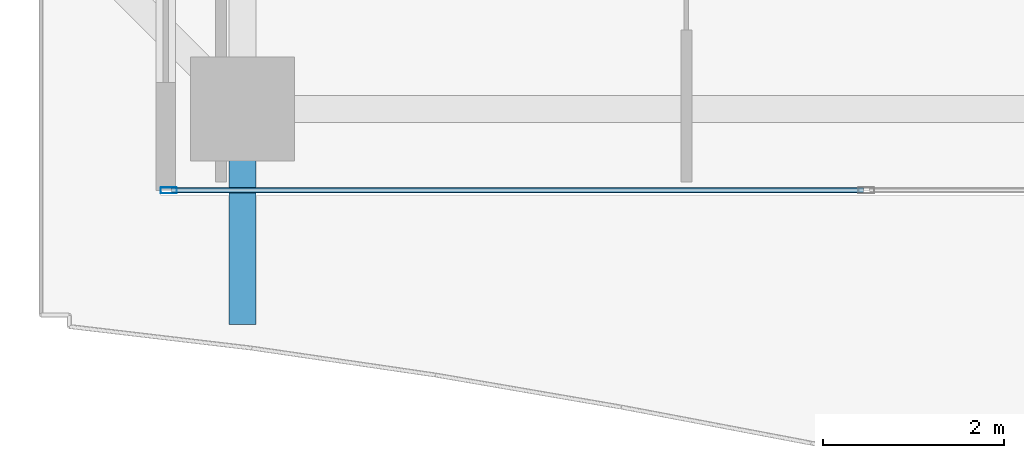
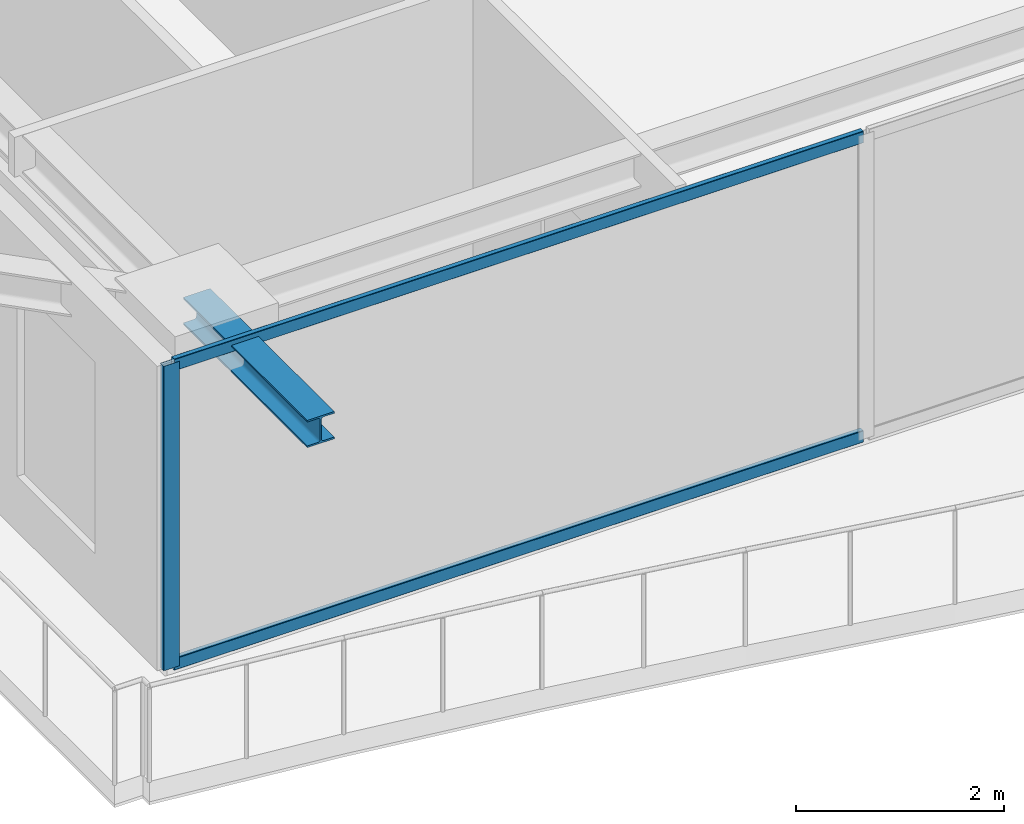
# One storey, part 2 of 35: 3 members, 1 beam, 1 element without a shape of its own.
"""IFC4 building model written with IfcOpenShell, lengths in metres."""

from ifc_helpers import new_model, si_unit, direction, frame, origin, origin_2d, place, context, subcontext, project, spatial, hollow_rectangle, i_section, extrude, source, transform, mapped, material, layer, layer_set, material_profile, profile_set, type_object, element, aggregate, save


model = new_model("IFC4")

# Units and contexts
model_context = context("Model", 3, precision=1e-05, world=origin(), true_north=direction((0.0, 1.0)))
body_context = subcontext(model_context, "Body", "Model", "MODEL_VIEW")
ifc_project = project(units=[si_unit("LENGTHUNIT", "METRE"), si_unit("AREAUNIT", "SQUARE_METRE"), si_unit("VOLUMEUNIT", "CUBIC_METRE"), si_unit("PLANEANGLEUNIT", "RADIAN"), si_unit("MASSUNIT", "GRAM", prefix="KILO")], contexts=[model_context])

# Site, building, storey
site_placement = place(None, origin())
site = spatial("IfcSite", under=ifc_project, at=site_placement, CompositionType="ELEMENT")
building_placement = place(site_placement, origin())
building = spatial("IfcBuilding", under=site, at=building_placement, Name="Serunith Strait Residences", CompositionType="ELEMENT")
storey_placement = place(building_placement, frame((0.0, 0.0, 214.300048828125)))
storey = spatial("IfcBuildingStorey", under=building, at=storey_placement, Name="L53", CompositionType="ELEMENT", Elevation=214.300048828125)

# Beam
ifc_material_1 = material(Name="Steel S355J2", Category="steel")
ifc_material_profile_1 = material_profile(ifc_material_1, i_section(OverallWidth=0.300048828125, OverallDepth=0.320068359375, WebThickness=0.011474609375, FlangeThickness=0.0205078125, FilletRadius=0.027099609375, at=origin_2d()), Name="HEB 320")
ifc_profile_set_1 = profile_set([ifc_material_profile_1], Name="Steel S355J2")
beam_type = type_object("IfcBeamType", Name="BM-HEB320", PredefinedType="BEAM", material=ifc_profile_set_1)
shared_shape_1 = source(origin(), body_context, "Body", "SweptSolid", [
    extrude(i_section(OverallWidth=0.300048828125, OverallDepth=0.320068359375, WebThickness=0.011474609375, FlangeThickness=0.0205078125, FilletRadius=0.027099609375, at=origin_2d()), origin(), (0.0, 0.0, 1.0), 2.38427734375),
])
beam_placement = place(storey_placement, frame((16.25, 2.10009765625, 3.39697265625), z_axis=(0.0, -1.0, 0.0), x_axis=(1.0, 0.0, 0.0)))
element("IfcBeam", 1, at=beam_placement, inside=storey, type_object=beam_type, Name="L54 Cantilevered Balcony Rib TC-S1", PredefinedType="BEAM", context=body_context, shape_type="MappedRepresentation", body=[
    mapped(shared_shape_1, transform((0.0, 0.0, 0.0), scale=1.0)),
])

# Curtain wall, members
ifc_material_2 = material(Name="Pale-Champagne Anodised Aluminium", Category="aluminium")
ifc_layer = layer(ifc_material_2, 0.199951171875, Name="Pale-Champagne Anodised Aluminium")
ifc_layer_set = layer_set([ifc_layer], Name="Pale-Champagne Anodised Aluminium")
curtain_wall_type = type_object("IfcCurtainWallType", Name="CW-SYS4", PredefinedType="NOTDEFINED", material=ifc_layer_set)
curtain_wall_placement = place(storey_placement, origin())
curtain_wall = element("IfcCurtainWall", 2, at=curtain_wall_placement, inside=storey, type_object=curtain_wall_type, Name="L53 S Unitised Fritted Curtain Wall", PredefinedType="NOTDEFINED")
ifc_material_profile_2 = material_profile(ifc_material_2, hollow_rectangle(XDim=0.06494140625, YDim=0.179931640625, WallThickness=0.00341796875, InnerFilletRadius=0.00537109375, OuterFilletRadius=0.0087890625, at=origin_2d()), Name="ALU 180x65x3.5")
ifc_profile_set_2 = profile_set([ifc_material_profile_2], Name="Pale-Champagne Anodised Aluminium")
member_type_1 = type_object("IfcMemberType", Name="CW-SYS4-MULL", PredefinedType="MULLION", material=ifc_profile_set_2)
shared_shape_2 = source(origin(), body_context, "Body", "SweptSolid", [
    extrude(hollow_rectangle(XDim=0.06494140625, YDim=0.179931640625, WallThickness=0.00341796875, InnerFilletRadius=0.00537109375, OuterFilletRadius=0.0087890625, at=origin_2d()), origin(), (0.0, 0.0, 1.0), 3.574951171875),
])
member_1_placement = place(storey_placement, frame((15.4326171875, 1.199951171875, 0.0), z_axis=(0.0, 0.0, 1.0), x_axis=(0.0, 1.0, 0.0)))
member_1 = element("IfcMember", 3, at=member_1_placement, type_object=member_type_1, Name="CW-4 mullion 1", PredefinedType="MULLION", context=body_context, shape_type="MappedRepresentation", body=[
    mapped(shared_shape_2, transform((0.0, 0.0, 0.0), scale=1.0)),
])
ifc_material_profile_3 = material_profile(ifc_material_2, hollow_rectangle(XDim=0.06005859375, YDim=0.139892578125, WallThickness=0.00341796875, InnerFilletRadius=0.00537109375, OuterFilletRadius=0.0087890625, at=origin_2d()), Name="ALU 140x60x3.5")
ifc_profile_set_3 = profile_set([ifc_material_profile_3], Name="Pale-Champagne Anodised Aluminium")
member_type_2 = type_object("IfcMemberType", Name="CW-SYS4-TRAN", PredefinedType="USERDEFINED", material=ifc_profile_set_3)
shared_shape_3 = source(origin(), body_context, "Body", "SweptSolid", [
    extrude(hollow_rectangle(XDim=0.06005859375, YDim=0.139892578125, WallThickness=0.00341796875, InnerFilletRadius=0.00537109375, OuterFilletRadius=0.0087890625, at=origin_2d()), origin(), (0.0, 0.0, 1.0), 7.65234375),
])
member_2_placement = place(storey_placement, frame((15.465087890625, 1.199951171875, 0.030029296875), z_axis=(1.0, 0.0, 0.0), x_axis=(0.0, 1.0, 0.0)))
member_2 = element("IfcMember", 4, at=member_2_placement, type_object=member_type_2, Name="CW-4 transom 1.1", ObjectType="TRANSOM", PredefinedType="USERDEFINED", context=body_context, shape_type="MappedRepresentation", body=[
    mapped(shared_shape_3, transform((0.0, 0.0, 0.0), scale=1.0)),
])
member_3_placement = place(storey_placement, frame((15.465087890625, 1.199951171875, 3.544921875), z_axis=(1.0, 0.0, 0.0), x_axis=(0.0, 1.0, 0.0)))
member_3 = element("IfcMember", 5, at=member_3_placement, type_object=member_type_2, Name="CW-4 transom 1.2", ObjectType="TRANSOM", PredefinedType="USERDEFINED", context=body_context, shape_type="MappedRepresentation", body=[
    mapped(shared_shape_3, transform((0.0, 0.0, 0.0), scale=1.0)),
])
aggregate(curtain_wall, [member_1, member_2, member_3])

save(model, "model.ifc")
